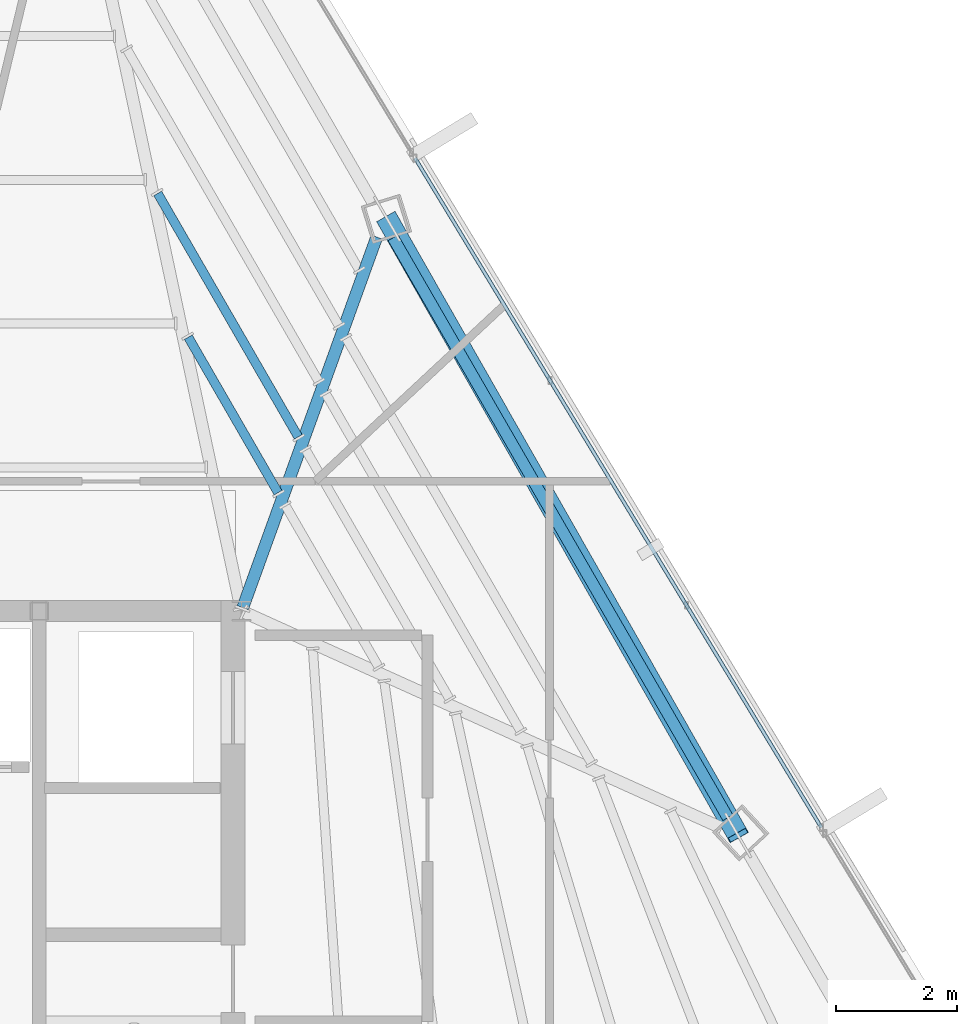
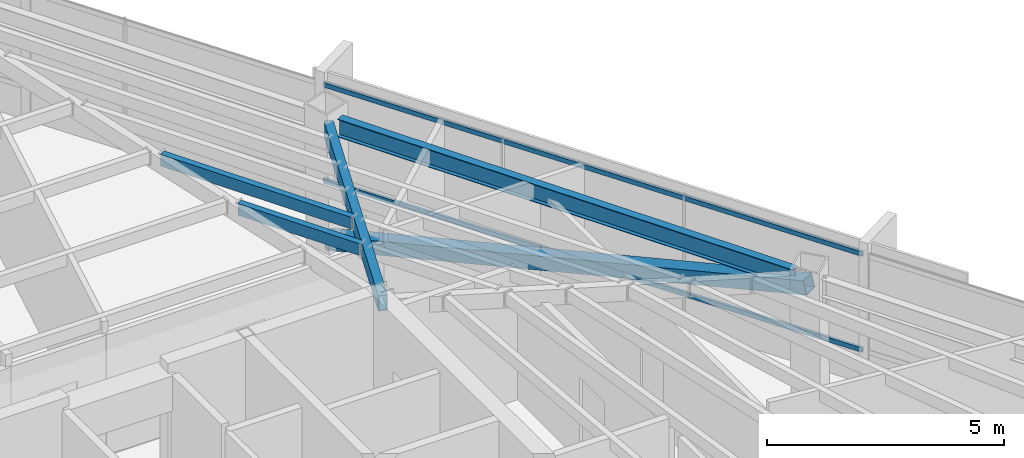
# One storey, part 29 of 47: 4 beams, 3 members, 1 element without a shape of its own.
"""IFC4 building model written with IfcOpenShell, lengths in metres."""

from ifc_helpers import new_model, si_unit, direction, frame, origin, origin_2d, place, context, subcontext, project, spatial, hollow_rectangle, i_section, extrude, source, transform, mapped, material, material_profile, profile_set, type_object, type_shapes, element, aggregate, save


model = new_model("IFC4")

# Units and contexts
model_context = context("Model", 3, precision=1e-05, world=origin(), true_north=direction((0.0, 1.0)))
body_context = subcontext(model_context, "Body", "Model", "MODEL_VIEW")
ifc_project = project(units=[si_unit("LENGTHUNIT", "METRE"), si_unit("AREAUNIT", "SQUARE_METRE"), si_unit("VOLUMEUNIT", "CUBIC_METRE"), si_unit("PLANEANGLEUNIT", "RADIAN"), si_unit("MASSUNIT", "GRAM", prefix="KILO")], contexts=[model_context])

# Site, building, storey
site_placement = place(None, origin())
site = spatial("IfcSite", under=ifc_project, at=site_placement, CompositionType="ELEMENT")
building_placement = place(site_placement, origin())
building = spatial("IfcBuilding", under=site, at=building_placement, Name="Caelisora Broadcast Tower", CompositionType="ELEMENT")
storey_placement = place(building_placement, frame((0.0, 0.0, 248.10009765625)))
storey = spatial("IfcBuildingStorey", under=building, at=storey_placement, Name="L65", CompositionType="ELEMENT", Elevation=248.10009765625)

# Beams
ifc_material_1 = material(Name="Steel Grade 350 (AS/NZS 3679.1)", Category="steel")
ifc_material_profile_1 = material_profile(ifc_material_1, i_section(OverallWidth=0.19091796875, OverallDepth=0.46044921875, WebThickness=0.010009765625, FlangeThickness=0.01611328125, at=origin_2d()), Name="Steel Grade 350 (AS/NZS 3679.1)")
ifc_profile_set_1 = profile_set([ifc_material_profile_1], Name="Steel Grade 350 (AS/NZS 3679.1)")
beam_type_1 = type_object("IfcBeamType", Name="PG06", PredefinedType="BEAM", material=ifc_profile_set_1)
shared_shape_1 = source(origin(), body_context, "Body", "SweptSolid", [
    extrude(i_section(OverallWidth=0.19091796875, OverallDepth=0.46044921875, WebThickness=0.010009765625, FlangeThickness=0.01611328125, at=origin_2d()), origin(), (0.0, 0.0, 1.0), 11.091552734375),
])
type_shapes(beam_type_1, [shared_shape_1])
beam_1_placement = place(storey_placement, frame((53.5556640625, 26.577392578125, 3.169677734375), z_axis=(-0.500012067877, 0.86601843628, 0.0), x_axis=(-0.86601843628, -0.500012067877, 0.0)))
element("IfcBeam", 1, at=beam_1_placement, inside=storey, type_object=beam_type_1, Name="L65 beam PG06", PredefinedType="BEAM", context=body_context, shape_type="MappedRepresentation", body=[
    mapped(shared_shape_1, transform((0.0, 0.0, 0.0), scale=1.0)),
])
ifc_material_2 = material(Name="Steel Grade 350 (AS/NZS 1163 C350L0)", Category="steel")
ifc_material_profile_2 = material_profile(ifc_material_2, hollow_rectangle(XDim=0.199951171875, YDim=0.39990234375, WallThickness=0.012451171875, at=origin_2d()), Name="Steel Grade 350 (AS/NZS 1163 C350L0)")
ifc_profile_set_2 = profile_set([ifc_material_profile_2], Name="Steel Grade 350 (AS/NZS 1163 C350L0)")
beam_type_2 = type_object("IfcBeamType", Name="PG07", PredefinedType="BEAM", material=ifc_profile_set_2)
shared_shape_2 = source(origin(), body_context, "Body", "SweptSolid", [
    extrude(hollow_rectangle(XDim=0.199951171875, YDim=0.39990234375, WallThickness=0.012451171875, at=origin_2d()), origin(), (0.0, 0.0, 1.0), 6.527587890625),
])
type_shapes(beam_type_2, [shared_shape_2])
beam_2_placement = place(storey_placement, frame((45.5205078125, 30.056396484375, 3.199951171875), z_axis=(0.339937630219, 0.940447982379, 0.0), x_axis=(-0.940447982379, 0.339937630219, 0.0)))
element("IfcBeam", 2, at=beam_2_placement, inside=storey, type_object=beam_type_2, Name="L65 beam PG07", PredefinedType="BEAM", context=body_context, shape_type="MappedRepresentation", body=[
    mapped(shared_shape_2, transform((0.0, 0.0, 0.0), scale=1.0)),
])
ifc_material_profile_3 = material_profile(ifc_material_2, hollow_rectangle(XDim=0.14990234375, YDim=0.300048828125, WallThickness=0.010009765625, at=origin_2d()), Name="Steel Grade 350 (AS/NZS 1163 C350L0)")
ifc_profile_set_3 = profile_set([ifc_material_profile_3], Name="Steel Grade 350 (AS/NZS 1163 C350L0)")
beam_type_3 = type_object("IfcBeamType", Name="SB05", PredefinedType="JOIST", material=ifc_profile_set_3)
shared_shape_3 = source(origin(), body_context, "Body", "SweptSolid", [
    extrude(hollow_rectangle(XDim=0.14990234375, YDim=0.300048828125, WallThickness=0.010009765625, at=origin_2d()), origin(), (0.0, 0.0, 1.0), 2.974365234375),
])
beam_3_placement = place(storey_placement, frame((46.10498046875, 31.960693359375, 3.25), z_axis=(-0.499961665751, 0.866047534942, 0.0), x_axis=(-0.866047534942, -0.499961665751, 0.0)))
element("IfcBeam", 3, at=beam_3_placement, inside=storey, type_object=beam_type_3, Name="L65 beam SB05", PredefinedType="JOIST", context=body_context, shape_type="MappedRepresentation", body=[
    mapped(shared_shape_3, transform((0.0, 0.0, 0.0), scale=1.0)),
])
shared_shape_4 = source(origin(), body_context, "Body", "SweptSolid", [
    extrude(hollow_rectangle(XDim=0.14990234375, YDim=0.300048828125, WallThickness=0.010009765625, at=origin_2d()), origin(), (0.0, 0.0, 1.0), 4.655029296875),
])
type_shapes(beam_type_3, [shared_shape_3, shared_shape_4])
beam_4_placement = place(storey_placement, frame((46.439208984375, 32.885986328125, 3.25), z_axis=(-0.499969122205, 0.866043230354, 0.0), x_axis=(-0.866043230354, -0.499969122205, 0.0)))
element("IfcBeam", 4, at=beam_4_placement, inside=storey, type_object=beam_type_3, Name="L65 beam SB05", PredefinedType="JOIST", context=body_context, shape_type="MappedRepresentation", body=[
    mapped(shared_shape_4, transform((0.0, 0.0, 0.0), scale=1.0)),
])

# Member
ifc_material_3 = material(Name="Steel Grade 450 (AS/NZS 1163 C450L0)", Category="steel")
ifc_material_profile_4 = material_profile(ifc_material_3, hollow_rectangle(XDim=0.35009765625, YDim=0.35009765625, WallThickness=0.012451171875, at=origin_2d()), Name="Steel Grade 450 (AS/NZS 1163 C450L0)")
ifc_profile_set_4 = profile_set([ifc_material_profile_4], Name="Steel Grade 450 (AS/NZS 1163 C450L0)")
member_type_1 = type_object("IfcMemberType", Name="BR05", PredefinedType="BRACE", material=ifc_profile_set_4)
shared_shape_5 = source(origin(), body_context, "Body", "SweptSolid", [
    extrude(hollow_rectangle(XDim=0.35009765625, YDim=0.35009765625, WallThickness=0.012451171875, at=origin_2d()), origin(), (0.0, 0.0, 1.0), 12.128173828125),
])
type_shapes(member_type_1, [shared_shape_5])
member_1_placement = place(storey_placement, frame((53.724609375, 26.28466796875, 3.099853515625), z_axis=(-0.479294026212, 0.842075922071, -0.247356782616), x_axis=(-0.869083144296, -0.494666037141, 0.0)))
element("IfcMember", 5, at=member_1_placement, inside=storey, type_object=member_type_1, Name="L65 perimeter brace BR05", PredefinedType="BRACE", context=body_context, shape_type="MappedRepresentation", body=[
    mapped(shared_shape_5, transform((0.0, 0.0, 0.0), scale=1.0)),
])

# Curtain wall, members
ifc_material_4 = material(Name="Unitised Aluminium Insulated Shadow-Box Spandrel Curtain Wall", Category="aluminium")
curtain_wall_type = type_object("IfcCurtainWallType", Name="CW-SP3", PredefinedType="NOTDEFINED", material=ifc_material_4)
curtain_wall_placement = place(storey_placement, origin())
curtain_wall = element("IfcCurtainWall", 6, at=curtain_wall_placement, inside=storey, type_object=curtain_wall_type, Name="L65 curtain wall CW-SP3", PredefinedType="NOTDEFINED")
ifc_material_5 = material(Name="Aluminium 6063-T6 Anodised Terracotta Bronze", Category="aluminium")
ifc_material_profile_5 = material_profile(ifc_material_5, hollow_rectangle(XDim=0.06005859375, YDim=0.1201171875, WallThickness=0.0029296875, at=origin_2d()), Name="Aluminium 6063-T6 Anodised Terracotta Bronze")
ifc_profile_set_5 = profile_set([ifc_material_profile_5], Name="Aluminium 6063-T6 Anodised Terracotta Bronze")
member_type_2 = type_object("IfcMemberType", Name="CWT-03", PredefinedType="USERDEFINED", material=ifc_profile_set_5)
shared_shape_6 = source(origin(), body_context, "Body", "SweptSolid", [
    extrude(hollow_rectangle(XDim=0.06005859375, YDim=0.1201171875, WallThickness=0.0029296875, at=origin_2d()), origin(), (0.0, 0.0, 1.0), 12.971923828125),
])
type_shapes(member_type_2, [shared_shape_6])
member_2_placement = place(storey_placement, frame((48.3740234375, 37.50341796875, 0.849853515625), z_axis=(0.518809668065, -0.85488977554, 0.0), x_axis=(0.85488977554, 0.518809668065, 0.0)))
member_2 = element("IfcMember", 7, at=member_2_placement, type_object=member_type_2, Name="L65-CW-B02 transom #1", ObjectType="TRANSOM", PredefinedType="USERDEFINED", context=body_context, shape_type="MappedRepresentation", body=[
    mapped(shared_shape_6, transform((0.0, 0.0, 0.0), scale=1.0)),
])
member_3_placement = place(storey_placement, frame((48.3740234375, 37.50341796875, 3.31982421875), z_axis=(0.518809668065, -0.85488977554, 0.0), x_axis=(0.85488977554, 0.518809668065, 0.0)))
member_3 = element("IfcMember", 8, at=member_3_placement, type_object=member_type_2, Name="L65-CW-B02 transom #2", ObjectType="TRANSOM", PredefinedType="USERDEFINED", context=body_context, shape_type="MappedRepresentation", body=[
    mapped(shared_shape_6, transform((0.0, 0.0, 0.0), scale=1.0)),
])
aggregate(curtain_wall, [member_2, member_3])

save(model, "model.ifc")
